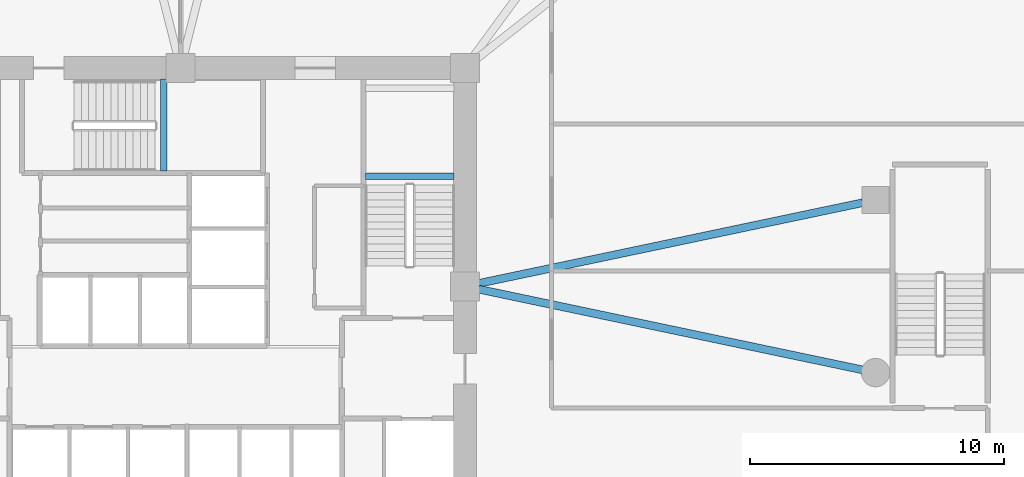
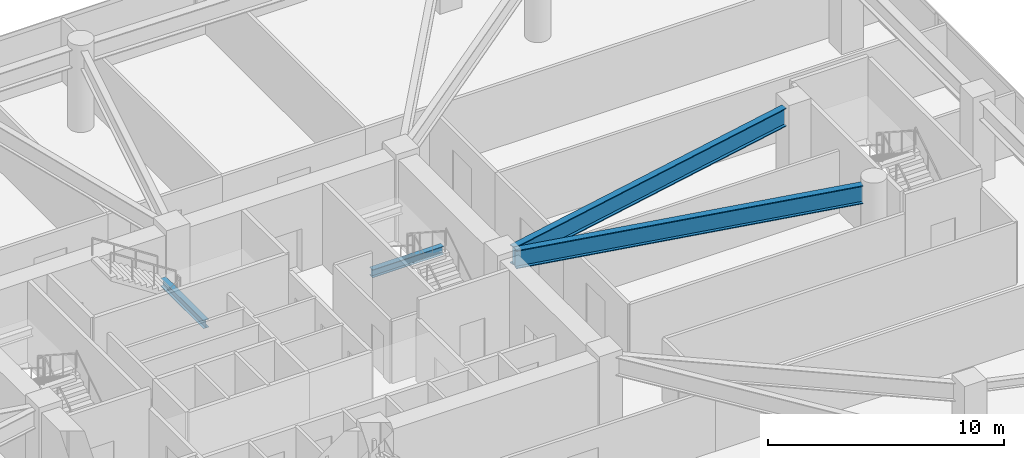
# One storey, part 5 of 21: 4 beams.
"""IFC4 building model written with IfcOpenShell, lengths in metres."""

import ifcopenshell
import ifcopenshell.guid

model = None  # the IFC model being written
_history = None  # IfcOwnerHistory: only IFC2X3 demands one
_inside = {}  # id of a spatial element -> (the spatial element, [elements in it])
_under = {}  # id of a project, library or spatial element -> (it, [spatial elements below it])
_declared = {}  # id of a project -> (the project, [libraries it declares])
_typed = {}  # id of a type object -> (the type object, [elements of that type])
_made_of = {}  # id of a material, layer set ... -> (it, [elements and type objects made of it])


def new_model(schema):
    """Start an empty IFC model of exactly this schema.

    Asked for "IFC4X3", IfcOpenShell would pick the latest addendum, in which some entities
    have other attributes; the version numbers below select the first issue.
    IFC2X3 requires an IfcOwnerHistory on every rooted entity: one is made here for all.
    """
    global model, _history
    if schema == "IFC4X3":
        model = ifcopenshell.file(schema_version=(4, 3, 0, 0))
    else:
        model = ifcopenshell.file(schema=schema)
    _inside.clear()
    _under.clear()
    _declared.clear()
    _typed.clear()
    _made_of.clear()
    _history = None
    if model.schema == "IFC2X3":
        org = make("IfcOrganization", Name="unknown")
        user = make(
            "IfcPersonAndOrganization",
            ThePerson=make("IfcPerson", FamilyName="unknown"),
            TheOrganization=org,
        )
        app = make(
            "IfcApplication",
            ApplicationDeveloper=org,
            Version="unknown",
            ApplicationFullName="unknown",
            ApplicationIdentifier="unknown",
        )
        _history = make(
            "IfcOwnerHistory",
            OwningUser=user,
            OwningApplication=app,
            ChangeAction="ADDED",
            CreationDate=0,
        )
    return model


def make(cls, **values):
    """One entity of the class cls with the attributes given. An attribute that is None is left unset."""
    return model.create_entity(
        cls, **{name: value for name, value in values.items() if value is not None}
    )


def rooted(cls, **values):
    """An entity with a GlobalId (a new one), such as an element, a storey or a relation."""
    return make(cls, GlobalId=ifcopenshell.guid.new(), OwnerHistory=_history, **values)


def si_unit(unit_type, name, prefix=None):
    """IfcSIUnit, for example si_unit("LENGTHUNIT", "METRE", prefix="MILLI")."""
    return make("IfcSIUnit", UnitType=unit_type, Prefix=prefix, Name=name)


def derived_unit(unit_type, elements):
    """IfcDerivedUnit: a product of units, each with its exponent."""
    return make(
        "IfcDerivedUnit",
        Elements=[
            make("IfcDerivedUnitElement", Unit=unit, Exponent=power)
            for unit, power in elements
        ],
        UnitType=unit_type,
    )


def assignment(units):
    """IfcUnitAssignment: the units of a project."""
    return None if units is None else make("IfcUnitAssignment", Units=units)


def point(xyz):
    """IfcCartesianPoint."""
    return None if xyz is None else make("IfcCartesianPoint", Coordinates=xyz)


def direction(xyz):
    """IfcDirection."""
    return None if xyz is None else make("IfcDirection", DirectionRatios=xyz)


def frame(location, z_axis=None, x_axis=None):
    """IfcAxis2Placement3D, a coordinate frame: its origin and axes. An axis left out is left unset."""
    return make(
        "IfcAxis2Placement3D",
        Location=point(location),
        Axis=direction(z_axis),
        RefDirection=direction(x_axis),
    )


def frame_2d(location, x_axis=None):
    """IfcAxis2Placement2D, a coordinate frame in the plane: its origin and x axis."""
    return make(
        "IfcAxis2Placement2D", Location=point(location), RefDirection=direction(x_axis)
    )


def origin():
    """The frame at (0, 0, 0) with its axes left unset."""
    return frame((0.0, 0.0, 0.0))


def origin_2d():
    """The frame at (0, 0) in the plane with its x axis left unset."""
    return frame_2d((0.0, 0.0))


def place(relative_to, where):
    """IfcLocalPlacement: puts the frame where relative to a parent placement (None: the world)."""
    return make(
        "IfcLocalPlacement", PlacementRelTo=relative_to, RelativePlacement=where
    )


def context(
    kind, dimensions, precision=None, world=None, true_north=None, identifier=None
):
    """IfcGeometricRepresentationContext, for example the 3D "Model" context."""
    return make(
        "IfcGeometricRepresentationContext",
        ContextIdentifier=identifier,
        ContextType=kind,
        CoordinateSpaceDimension=dimensions,
        Precision=precision,
        WorldCoordinateSystem=world,
        TrueNorth=true_north,
    )


def subcontext(parent, identifier, kind, view, scale=None):
    """IfcGeometricRepresentationSubContext, for example "Body" below "Model"."""
    return make(
        "IfcGeometricRepresentationSubContext",
        ContextIdentifier=identifier,
        ContextType=kind,
        ParentContext=parent,
        TargetScale=scale,
        TargetView=view,
    )


def project(units=None, contexts=None):
    """IfcProject with its units and contexts."""
    return rooted(
        "IfcProject",
        Name="project",
        RepresentationContexts=contexts,
        UnitsInContext=assignment(units),
    )


def spatial(cls, under=None, at=None, **own):
    """A site, building, storey or space (cls), placed at a placement, below another one or the project."""
    s = rooted(cls, ObjectPlacement=at, **own)
    if under is not None:
        _under.setdefault(under.id(), (under, []))[1].append(s)
    return s


def profile(cls, at=None, kind="AREA", **sizes):
    """A parametric profile (cls). Its sizes go by their IFC names, for example OverallWidth=200.0."""
    return make(cls, ProfileType=kind, Position=at, **sizes)


def i_section(**sizes):
    """IfcIShapeProfileDef."""
    return profile("IfcIShapeProfileDef", **sizes)


def extrude(swept, where, along, depth):
    """IfcExtrudedAreaSolid: the profile swept, set in the frame where, extruded along a direction by depth."""
    return make(
        "IfcExtrudedAreaSolid",
        SweptArea=swept,
        Position=where,
        ExtrudedDirection=direction(along),
        Depth=depth,
    )


def shape(context_of_items, identifier, shape_type, items):
    """IfcShapeRepresentation: the items that make up one representation, for example the "Body"."""
    return make(
        "IfcShapeRepresentation",
        ContextOfItems=context_of_items,
        RepresentationIdentifier=identifier,
        RepresentationType=shape_type,
        Items=items,
    )


def material(Name=None, Category=None):
    """IfcMaterial."""
    return make("IfcMaterial", Name=Name, Category=Category)


def material_profile(
    of_material, cross_section, Name=None, Category=None, Priority=None
):
    """IfcMaterialProfile: a cross section and its material."""
    return make(
        "IfcMaterialProfile",
        Name=Name,
        Material=of_material,
        Profile=cross_section,
        Priority=Priority,
        Category=Category,
    )


def profile_set(profiles, Name=None, composite=None):
    """IfcMaterialProfileSet."""
    return make(
        "IfcMaterialProfileSet",
        Name=Name,
        MaterialProfiles=profiles,
        CompositeProfile=composite,
    )


def made_of(thing, what):
    """Note that an element or type object is made of a material, layer set ...; save() writes the relation."""
    if what is not None:
        _made_of.setdefault(what.id(), (what, []))[1].append(thing)
    return thing


def type_object(cls, material=None, **own):
    """A type object (cls), such as IfcWallType, which elements share."""
    return made_of(rooted(cls, **own), material)


def element(
    cls,
    number,
    at=None,
    inside=None,
    cuts=None,
    type_object=None,
    material=None,
    context=None,
    identifier="Body",
    shape_type=None,
    held_by="IfcProductDefinitionShape",
    body=None,
    shapes=None,
    **own,
):
    """One element of the class cls, such as IfcWall. Its Tag is "e" and its number.

    at: its placement. inside: the storey or other place that contains it. cuts: it is an
    opening in that element (IfcRelVoidsElement). A single representation is given by context,
    identifier, shape_type and body (its items); several are given by shapes. held_by: the class
    of the entity that holds the representations. save() writes the other relations.
    """
    e = rooted(cls, Tag="e%d" % number, ObjectPlacement=at, **own)
    if body is not None:
        shapes = [shape(context, identifier, shape_type, body)]
    if shapes is not None:
        e.Representation = make(held_by, Representations=shapes)
    if inside is not None:
        _inside.setdefault(inside.id(), (inside, []))[1].append(e)
    if cuts is not None:
        rooted(
            "IfcRelVoidsElement", RelatingBuildingElement=cuts, RelatedOpeningElement=e
        )
    if type_object is not None:
        _typed.setdefault(type_object.id(), (type_object, []))[1].append(e)
    return made_of(e, material)


def aggregate(whole, parts):
    """IfcRelAggregates: a whole, such as a stair, and the parts it consists of."""
    return rooted("IfcRelAggregates", RelatingObject=whole, RelatedObjects=parts)


def save(model, path):
    """Write the relations noted so far, then the file.

    IfcRelAggregates (storeys below a building ...), IfcRelContainedInSpatialStructure (elements
    in a storey), IfcRelDefinesByType, IfcRelAssociatesMaterial and IfcRelDeclares: one each for
    every whole, place, type object, material and project.
    """
    for whole, parts in _under.values():
        aggregate(whole, parts)
    for where, things in _inside.values():
        rooted(
            "IfcRelContainedInSpatialStructure",
            RelatedElements=things,
            RelatingStructure=where,
        )
    for kind, things in _typed.values():
        rooted("IfcRelDefinesByType", RelatedObjects=things, RelatingType=kind)
    for what, things in _made_of.values():
        rooted("IfcRelAssociatesMaterial", RelatedObjects=things, RelatingMaterial=what)
    for by, libraries in _declared.values():
        rooted("IfcRelDeclares", RelatingContext=by, RelatedDefinitions=libraries)
    model.write(path)


model = new_model("IFC4")

# Units and contexts
model_context = context("Model", 3, precision=1e-05, world=origin(), true_north=direction((0.0, 1.0)))
body_context = subcontext(model_context, "Body", "Model", "MODEL_VIEW")
ifc_project = project(units=[si_unit("LENGTHUNIT", "METRE"), si_unit("AREAUNIT", "SQUARE_METRE"), si_unit("VOLUMEUNIT", "CUBIC_METRE"), si_unit("PLANEANGLEUNIT", "RADIAN"), si_unit("MASSUNIT", "GRAM", prefix="KILO"), derived_unit("THERMALTRANSMITTANCEUNIT", [(si_unit("POWERUNIT", "WATT"), 1), (si_unit("LENGTHUNIT", "METRE"), -2), (si_unit("THERMODYNAMICTEMPERATUREUNIT", "KELVIN"), -1)])], contexts=[model_context])

# Site, building, storey
site_placement = place(None, origin())
site = spatial("IfcSite", under=ifc_project, at=site_placement, CompositionType="ELEMENT")
building_placement = place(site_placement, origin())
building = spatial("IfcBuilding", under=site, at=building_placement, Name="Koralith Skygarden Medical Center", CompositionType="ELEMENT")
storey_placement = place(building_placement, frame((0.0, 0.0, 14.39990234375)))
storey = spatial("IfcBuildingStorey", under=building, at=storey_placement, Name="L03", CompositionType="ELEMENT", Elevation=14.39990234375)

# Beams
ifc_material = material(Name="Steel ASTM A992 Grade 50", Category="steel")
ifc_material_profile_1 = material_profile(ifc_material, i_section(OverallWidth=0.260009765625, OverallDepth=0.4150390625, WebThickness=0.010009765625, FlangeThickness=0.016845703125, at=origin_2d()), Name="W16X67")
ifc_profile_set_1 = profile_set([ifc_material_profile_1], Name="Steel ASTM A992 Grade 50")
beam_type_1 = type_object("IfcBeamType", Name="Clinical Floor Joist W16X67", PredefinedType="JOIST", material=ifc_profile_set_1)
beam_1_placement = place(storey_placement, frame((44.280029296875, 30.239990234375, 1.842041015625), z_axis=(1.0, 0.0, 0.0), x_axis=(0.0, 1.0, 0.0)))
element("IfcBeam", 1, at=beam_1_placement, inside=storey, type_object=beam_type_1, Name="L03 Stair ST2 Half-Landing Support Beam 1A", PredefinedType="JOIST", context=body_context, shape_type="SweptSolid", body=[
    extrude(i_section(OverallWidth=0.260009765625, OverallDepth=0.4150390625, WebThickness=0.010009765625, FlangeThickness=0.016845703125, at=origin_2d()), origin(), (0.0, 0.0, 1.0), 3.489990234375),
])
beam_2_placement = place(storey_placement, frame((36.340087890625, 30.43994140625, 1.842041015625), z_axis=(0.0, 1.0, 0.0), x_axis=(-1.0, 0.0, 0.0)))
element("IfcBeam", 2, at=beam_2_placement, inside=storey, type_object=beam_type_1, Name="L03 Stair ST3 Half-Landing Support Beam 1A", PredefinedType="JOIST", context=body_context, shape_type="SweptSolid", body=[
    extrude(i_section(OverallWidth=0.260009765625, OverallDepth=0.4150390625, WebThickness=0.010009765625, FlangeThickness=0.016845703125, at=origin_2d()), origin(), (0.0, 0.0, 1.0), 3.630126953125),
])
ifc_material_profile_2 = material_profile(ifc_material, i_section(OverallWidth=0.30810546875, OverallDepth=0.943115234375, WebThickness=0.022216796875, FlangeThickness=0.039794921875, at=origin_2d()), Name="W36X232")
ifc_profile_set_2 = profile_set([ifc_material_profile_2], Name="Steel ASTM A992 Grade 50")
beam_type_2 = type_object("IfcBeamType", Name="Surgical Platform Girder W36X232", PredefinedType="BEAM", material=ifc_profile_set_2)
for number, where, z_axis, x_axis, name in (
    (3, (48.748046875, 25.784912109375, 3.72900390625), (0.978625652149, -0.205649782288, 0.0), (0.205649782288, 0.978625652149, 0.0), "L03 Podium Radial Girder PRG-08"),
    (4, (48.748046875, 26.014892578125, 3.72900390625), (0.978622472518, 0.205664912619, 0.0), (-0.205664912619, 0.978622472518, 0.0), "L03 Podium Radial Girder PRG-09"),
):
    element("IfcBeam", number, at=place(storey_placement, frame(where, z_axis=z_axis, x_axis=x_axis)), inside=storey, type_object=beam_type_2, Name=name, PredefinedType="BEAM", context=body_context, shape_type="SweptSolid", body=[
        extrude(i_section(OverallWidth=0.30810546875, OverallDepth=0.943115234375, WebThickness=0.022216796875, FlangeThickness=0.039794921875, at=origin_2d()), origin(), (0.0, 0.0, 1.0), 15.453369140625),
    ])

save(model, "model.ifc")
